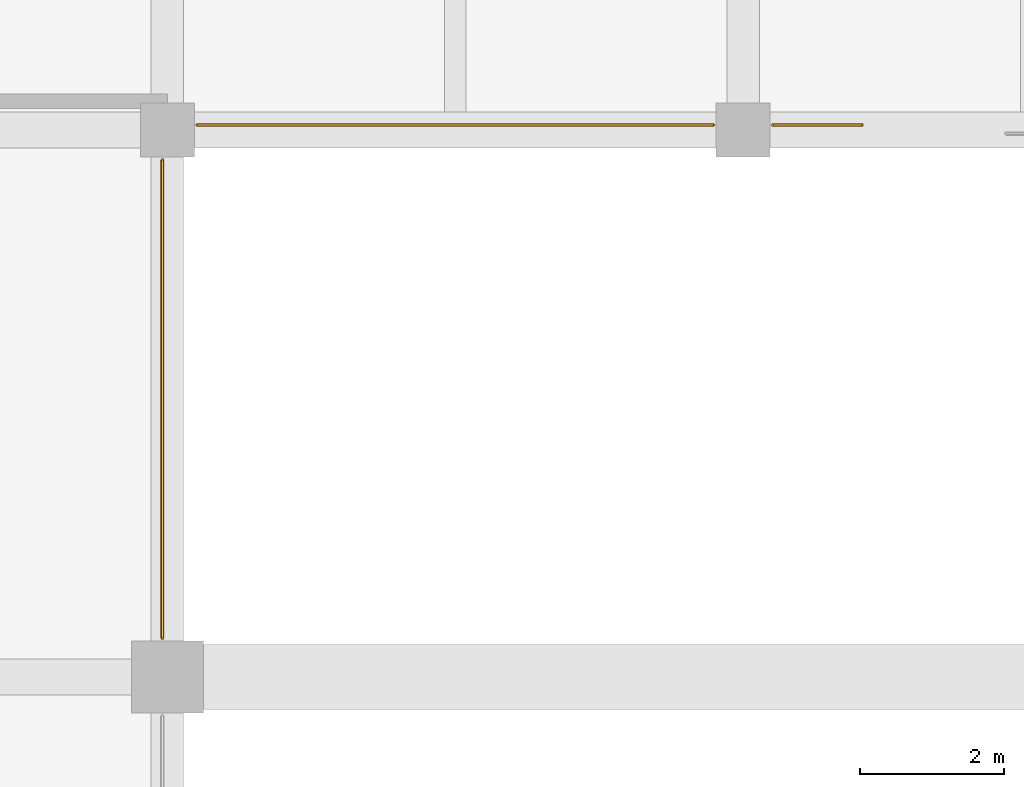
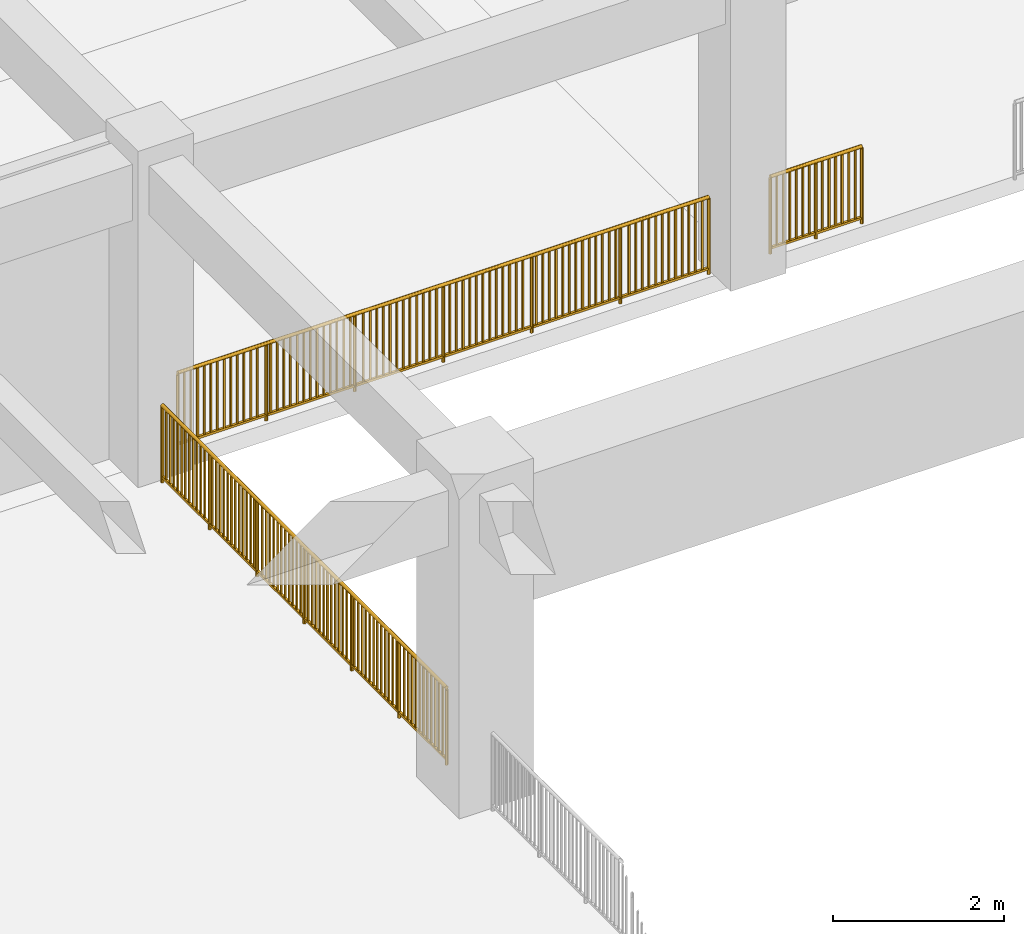
# One storey, part 93 of 101: 3 railings.
"""IFC4 building model written with IfcOpenShell, lengths in metres."""

from ifc_helpers import new_model, si_unit, direction, frame, origin, origin_2d, place, context, subcontext, project, spatial, rectangle, circle, extrude, material, type_object, element, save


model = new_model("IFC4")

# Units and contexts
model_context = context("Model", 3, precision=1e-05, world=origin(), true_north=direction((0.0, 1.0)))
body_context = subcontext(model_context, "Body", "Model", "MODEL_VIEW")
ifc_project = project(units=[si_unit("LENGTHUNIT", "METRE"), si_unit("AREAUNIT", "SQUARE_METRE"), si_unit("VOLUMEUNIT", "CUBIC_METRE"), si_unit("PLANEANGLEUNIT", "RADIAN"), si_unit("MASSUNIT", "GRAM", prefix="KILO")], contexts=[model_context])

# Site, building, storey
site_placement = place(None, origin())
site = spatial("IfcSite", under=ifc_project, at=site_placement, CompositionType="ELEMENT")
building_placement = place(site_placement, origin())
building = spatial("IfcBuilding", under=site, at=building_placement, Name="Zantavel Square City Hall", CompositionType="ELEMENT")
storey_placement = place(building_placement, frame((0.0, 0.0, 5.39990234375)))
storey = spatial("IfcBuildingStorey", under=building, at=storey_placement, Name="L02", CompositionType="ELEMENT", Elevation=5.39990234375)

# Railings
ifc_material = material(Name="Steel ASTM A500 Grade B", Category="steel")
railing_type = type_object("IfcRailingType", Name="Atrium & Gallery Steel Guard Railing 1100mm", PredefinedType="GUARDRAIL", material=ifc_material)
railing_1_placement = place(storey_placement, frame((71.929931640625, 45.18505859375, 0.0)))
element("IfcRailing", 1, at=railing_1_placement, inside=storey, type_object=railing_type, Name="L02 Atrium Void Guard 011", PredefinedType="GUARDRAIL", context=body_context, shape_type="SweptSolid", body=[
    extrude(circle(Radius=0.02392578125, at=origin_2d()), frame((0.0, 0.0, 1.09619140625), z_axis=(0.0, -1.0, 0.0), x_axis=(1.0, 0.0, 0.0)), (0.0, 0.0, 1.0), 6.64501953125),
    extrude(rectangle(XDim=0.031982421875, YDim=0.031982421875, at=origin_2d()), frame((0.0, 0.0, 0.080078125), z_axis=(0.0, -1.0, 0.0), x_axis=(1.0, 0.0, 0.0)), (0.0, 0.0, 1.0), 6.64501953125),
    extrude(rectangle(XDim=0.02197265625, YDim=0.02197265625, at=origin_2d()), frame((0.0, -0.08984375, 0.080078125)), (0.0, 0.0, 1.0), 0.991943359375),
    extrude(rectangle(XDim=0.02197265625, YDim=0.02197265625, at=origin_2d()), frame((0.0, -0.1796875, 0.080078125)), (0.0, 0.0, 1.0), 0.991943359375),
    extrude(rectangle(XDim=0.02197265625, YDim=0.02197265625, at=origin_2d()), frame((0.0, -0.269287109375, 0.080078125)), (0.0, 0.0, 1.0), 0.991943359375),
    extrude(rectangle(XDim=0.02197265625, YDim=0.02197265625, at=origin_2d()), frame((0.0, -0.359130859375, 0.080078125)), (0.0, 0.0, 1.0), 0.991943359375),
    extrude(rectangle(XDim=0.02197265625, YDim=0.02197265625, at=origin_2d()), frame((0.0, -0.448974609375, 0.080078125)), (0.0, 0.0, 1.0), 0.991943359375),
    extrude(rectangle(XDim=0.02197265625, YDim=0.02197265625, at=origin_2d()), frame((0.0, -0.538818359375, 0.080078125)), (0.0, 0.0, 1.0), 0.991943359375),
    extrude(rectangle(XDim=0.02197265625, YDim=0.02197265625, at=origin_2d()), frame((0.0, -0.628662109375, 0.080078125)), (0.0, 0.0, 1.0), 0.991943359375),
    extrude(rectangle(XDim=0.02197265625, YDim=0.02197265625, at=origin_2d()), frame((0.0, -0.71826171875, 0.080078125)), (0.0, 0.0, 1.0), 0.991943359375),
    extrude(rectangle(XDim=0.02197265625, YDim=0.02197265625, at=origin_2d()), frame((0.0, -0.80810546875, 0.080078125)), (0.0, 0.0, 1.0), 0.991943359375),
    extrude(rectangle(XDim=0.02197265625, YDim=0.02197265625, at=origin_2d()), frame((0.0, -0.89794921875, 0.080078125)), (0.0, 0.0, 1.0), 0.991943359375),
    extrude(rectangle(XDim=0.02197265625, YDim=0.02197265625, at=origin_2d()), frame((0.0, -0.98779296875, 0.080078125)), (0.0, 0.0, 1.0), 0.991943359375),
    extrude(rectangle(XDim=0.02197265625, YDim=0.02197265625, at=origin_2d()), frame((0.0, -1.16748046875, 0.080078125)), (0.0, 0.0, 1.0), 0.991943359375),
    extrude(rectangle(XDim=0.02197265625, YDim=0.02197265625, at=origin_2d()), frame((0.0, -1.257080078125, 0.080078125)), (0.0, 0.0, 1.0), 0.991943359375),
    extrude(rectangle(XDim=0.02197265625, YDim=0.02197265625, at=origin_2d()), frame((0.0, -1.346923828125, 0.080078125)), (0.0, 0.0, 1.0), 0.991943359375),
    extrude(rectangle(XDim=0.02197265625, YDim=0.02197265625, at=origin_2d()), frame((0.0, -1.436767578125, 0.080078125)), (0.0, 0.0, 1.0), 0.991943359375),
    extrude(rectangle(XDim=0.02197265625, YDim=0.02197265625, at=origin_2d()), frame((0.0, -1.526611328125, 0.080078125)), (0.0, 0.0, 1.0), 0.991943359375),
    extrude(rectangle(XDim=0.02197265625, YDim=0.02197265625, at=origin_2d()), frame((0.0, -1.616455078125, 0.080078125)), (0.0, 0.0, 1.0), 0.991943359375),
    extrude(rectangle(XDim=0.02197265625, YDim=0.02197265625, at=origin_2d()), frame((0.0, -1.7060546875, 0.080078125)), (0.0, 0.0, 1.0), 0.991943359375),
    extrude(rectangle(XDim=0.02197265625, YDim=0.02197265625, at=origin_2d()), frame((0.0, -1.7958984375, 0.080078125)), (0.0, 0.0, 1.0), 0.991943359375),
    extrude(rectangle(XDim=0.02197265625, YDim=0.02197265625, at=origin_2d()), frame((0.0, -1.8857421875, 0.080078125)), (0.0, 0.0, 1.0), 0.991943359375),
    extrude(rectangle(XDim=0.02197265625, YDim=0.02197265625, at=origin_2d()), frame((0.0, -1.9755859375, 0.080078125)), (0.0, 0.0, 1.0), 0.991943359375),
    extrude(rectangle(XDim=0.02197265625, YDim=0.02197265625, at=origin_2d()), frame((0.0, -2.0654296875, 0.080078125)), (0.0, 0.0, 1.0), 0.991943359375),
    extrude(rectangle(XDim=0.02197265625, YDim=0.02197265625, at=origin_2d()), frame((0.0, -2.155029296875, 0.080078125)), (0.0, 0.0, 1.0), 0.991943359375),
    extrude(rectangle(XDim=0.02197265625, YDim=0.02197265625, at=origin_2d()), frame((0.0, -2.334716796875, 0.080078125)), (0.0, 0.0, 1.0), 0.991943359375),
    extrude(rectangle(XDim=0.02197265625, YDim=0.02197265625, at=origin_2d()), frame((0.0, -2.424560546875, 0.080078125)), (0.0, 0.0, 1.0), 0.991943359375),
    extrude(rectangle(XDim=0.02197265625, YDim=0.02197265625, at=origin_2d()), frame((0.0, -2.514404296875, 0.080078125)), (0.0, 0.0, 1.0), 0.991943359375),
    extrude(rectangle(XDim=0.02197265625, YDim=0.02197265625, at=origin_2d()), frame((0.0, -2.604248046875, 0.080078125)), (0.0, 0.0, 1.0), 0.991943359375),
    extrude(rectangle(XDim=0.02197265625, YDim=0.02197265625, at=origin_2d()), frame((0.0, -2.69384765625, 0.080078125)), (0.0, 0.0, 1.0), 0.991943359375),
    extrude(rectangle(XDim=0.02197265625, YDim=0.02197265625, at=origin_2d()), frame((0.0, -2.78369140625, 0.080078125)), (0.0, 0.0, 1.0), 0.991943359375),
    extrude(rectangle(XDim=0.02197265625, YDim=0.02197265625, at=origin_2d()), frame((0.0, -2.87353515625, 0.080078125)), (0.0, 0.0, 1.0), 0.991943359375),
    extrude(rectangle(XDim=0.02197265625, YDim=0.02197265625, at=origin_2d()), frame((0.0, -2.96337890625, 0.080078125)), (0.0, 0.0, 1.0), 0.991943359375),
    extrude(rectangle(XDim=0.02197265625, YDim=0.02197265625, at=origin_2d()), frame((0.0, -3.05322265625, 0.080078125)), (0.0, 0.0, 1.0), 0.991943359375),
    extrude(rectangle(XDim=0.02197265625, YDim=0.02197265625, at=origin_2d()), frame((0.0, -3.142822265625, 0.080078125)), (0.0, 0.0, 1.0), 0.991943359375),
    extrude(rectangle(XDim=0.02197265625, YDim=0.02197265625, at=origin_2d()), frame((0.0, -3.232666015625, 0.080078125)), (0.0, 0.0, 1.0), 0.991943359375),
    extrude(rectangle(XDim=0.02197265625, YDim=0.02197265625, at=origin_2d()), frame((0.0, -3.412353515625, 0.080078125)), (0.0, 0.0, 1.0), 0.991943359375),
    extrude(rectangle(XDim=0.02197265625, YDim=0.02197265625, at=origin_2d()), frame((0.0, -3.502197265625, 0.080078125)), (0.0, 0.0, 1.0), 0.991943359375),
    extrude(rectangle(XDim=0.02197265625, YDim=0.02197265625, at=origin_2d()), frame((0.0, -3.591796875, 0.080078125)), (0.0, 0.0, 1.0), 0.991943359375),
    extrude(rectangle(XDim=0.02197265625, YDim=0.02197265625, at=origin_2d()), frame((0.0, -3.681640625, 0.080078125)), (0.0, 0.0, 1.0), 0.991943359375),
    extrude(rectangle(XDim=0.02197265625, YDim=0.02197265625, at=origin_2d()), frame((0.0, -3.771484375, 0.080078125)), (0.0, 0.0, 1.0), 0.991943359375),
    extrude(rectangle(XDim=0.02197265625, YDim=0.02197265625, at=origin_2d()), frame((0.0, -3.861328125, 0.080078125)), (0.0, 0.0, 1.0), 0.991943359375),
    extrude(rectangle(XDim=0.02197265625, YDim=0.02197265625, at=origin_2d()), frame((0.0, -3.951171875, 0.080078125)), (0.0, 0.0, 1.0), 0.991943359375),
    extrude(rectangle(XDim=0.02197265625, YDim=0.02197265625, at=origin_2d()), frame((0.0, -4.040771484375, 0.080078125)), (0.0, 0.0, 1.0), 0.991943359375),
    extrude(rectangle(XDim=0.02197265625, YDim=0.02197265625, at=origin_2d()), frame((0.0, -4.130615234375, 0.080078125)), (0.0, 0.0, 1.0), 0.991943359375),
    extrude(rectangle(XDim=0.02197265625, YDim=0.02197265625, at=origin_2d()), frame((0.0, -4.220458984375, 0.080078125)), (0.0, 0.0, 1.0), 0.991943359375),
    extrude(rectangle(XDim=0.02197265625, YDim=0.02197265625, at=origin_2d()), frame((0.0, -4.310302734375, 0.080078125)), (0.0, 0.0, 1.0), 0.991943359375),
    extrude(rectangle(XDim=0.02197265625, YDim=0.02197265625, at=origin_2d()), frame((0.0, -4.489990234375, 0.080078125)), (0.0, 0.0, 1.0), 0.991943359375),
    extrude(rectangle(XDim=0.02197265625, YDim=0.02197265625, at=origin_2d()), frame((0.0, -4.57958984375, 0.080078125)), (0.0, 0.0, 1.0), 0.991943359375),
    extrude(rectangle(XDim=0.02197265625, YDim=0.02197265625, at=origin_2d()), frame((0.0, -4.66943359375, 0.080078125)), (0.0, 0.0, 1.0), 0.991943359375),
    extrude(rectangle(XDim=0.02197265625, YDim=0.02197265625, at=origin_2d()), frame((0.0, -4.75927734375, 0.080078125)), (0.0, 0.0, 1.0), 0.991943359375),
    extrude(rectangle(XDim=0.02197265625, YDim=0.02197265625, at=origin_2d()), frame((0.0, -4.84912109375, 0.080078125)), (0.0, 0.0, 1.0), 0.991943359375),
    extrude(rectangle(XDim=0.02197265625, YDim=0.02197265625, at=origin_2d()), frame((0.0, -4.93896484375, 0.080078125)), (0.0, 0.0, 1.0), 0.991943359375),
    extrude(rectangle(XDim=0.02197265625, YDim=0.02197265625, at=origin_2d()), frame((0.0, -5.028564453125, 0.080078125)), (0.0, 0.0, 1.0), 0.991943359375),
    extrude(rectangle(XDim=0.02197265625, YDim=0.02197265625, at=origin_2d()), frame((0.0, -5.118408203125, 0.080078125)), (0.0, 0.0, 1.0), 0.991943359375),
    extrude(rectangle(XDim=0.02197265625, YDim=0.02197265625, at=origin_2d()), frame((0.0, -5.208251953125, 0.080078125)), (0.0, 0.0, 1.0), 0.991943359375),
    extrude(rectangle(XDim=0.02197265625, YDim=0.02197265625, at=origin_2d()), frame((0.0, -5.298095703125, 0.080078125)), (0.0, 0.0, 1.0), 0.991943359375),
    extrude(rectangle(XDim=0.02197265625, YDim=0.02197265625, at=origin_2d()), frame((0.0, -5.387939453125, 0.080078125)), (0.0, 0.0, 1.0), 0.991943359375),
    extrude(rectangle(XDim=0.02197265625, YDim=0.02197265625, at=origin_2d()), frame((0.0, -5.4775390625, 0.080078125)), (0.0, 0.0, 1.0), 0.991943359375),
    extrude(rectangle(XDim=0.02197265625, YDim=0.02197265625, at=origin_2d()), frame((0.0, -5.6572265625, 0.080078125)), (0.0, 0.0, 1.0), 0.991943359375),
    extrude(rectangle(XDim=0.02197265625, YDim=0.02197265625, at=origin_2d()), frame((0.0, -5.7470703125, 0.080078125)), (0.0, 0.0, 1.0), 0.991943359375),
    extrude(rectangle(XDim=0.02197265625, YDim=0.02197265625, at=origin_2d()), frame((0.0, -5.8369140625, 0.080078125)), (0.0, 0.0, 1.0), 0.991943359375),
    extrude(rectangle(XDim=0.02197265625, YDim=0.02197265625, at=origin_2d()), frame((0.0, -5.9267578125, 0.080078125)), (0.0, 0.0, 1.0), 0.991943359375),
    extrude(rectangle(XDim=0.02197265625, YDim=0.02197265625, at=origin_2d()), frame((0.0, -6.016357421875, 0.080078125)), (0.0, 0.0, 1.0), 0.991943359375),
    extrude(rectangle(XDim=0.02197265625, YDim=0.02197265625, at=origin_2d()), frame((0.0, -6.106201171875, 0.080078125)), (0.0, 0.0, 1.0), 0.991943359375),
    extrude(rectangle(XDim=0.02197265625, YDim=0.02197265625, at=origin_2d()), frame((0.0, -6.196044921875, 0.080078125)), (0.0, 0.0, 1.0), 0.991943359375),
    extrude(rectangle(XDim=0.02197265625, YDim=0.02197265625, at=origin_2d()), frame((0.0, -6.285888671875, 0.080078125)), (0.0, 0.0, 1.0), 0.991943359375),
    extrude(rectangle(XDim=0.02197265625, YDim=0.02197265625, at=origin_2d()), frame((0.0, -6.375732421875, 0.080078125)), (0.0, 0.0, 1.0), 0.991943359375),
    extrude(rectangle(XDim=0.02197265625, YDim=0.02197265625, at=origin_2d()), frame((0.0, -6.46533203125, 0.080078125)), (0.0, 0.0, 1.0), 0.991943359375),
    extrude(rectangle(XDim=0.02197265625, YDim=0.02197265625, at=origin_2d()), frame((0.0, -6.55517578125, 0.080078125)), (0.0, 0.0, 1.0), 0.991943359375),
    extrude(circle(Radius=0.02099609375, at=origin_2d()), origin(), (0.0, 0.0, 1.0), 1.072021484375),
    extrude(circle(Radius=0.02099609375, at=origin_2d()), frame((0.0, -1.107421875, 0.0)), (0.0, 0.0, 1.0), 1.072021484375),
    extrude(circle(Radius=0.02099609375, at=origin_2d()), frame((0.0, -2.215087890625, 0.0)), (0.0, 0.0, 1.0), 1.072021484375),
    extrude(circle(Radius=0.02099609375, at=origin_2d()), frame((0.0, -3.322509765625, 0.0)), (0.0, 0.0, 1.0), 1.072021484375),
    extrude(circle(Radius=0.02099609375, at=origin_2d()), frame((0.0, -4.429931640625, 0.0)), (0.0, 0.0, 1.0), 1.072021484375),
    extrude(circle(Radius=0.02099609375, at=origin_2d()), frame((0.0, -5.53759765625, 0.0)), (0.0, 0.0, 1.0), 1.072021484375),
    extrude(circle(Radius=0.02099609375, at=origin_2d()), frame((0.0, -6.64501953125, 0.0)), (0.0, 0.0, 1.0), 1.072021484375),
])
railing_2_placement = place(storey_placement, frame((79.5849609375, 45.669921875, 0.0)))
element("IfcRailing", 2, at=railing_2_placement, inside=storey, type_object=railing_type, Name="L02 Atrium Void Guard 012", PredefinedType="GUARDRAIL", context=body_context, shape_type="SweptSolid", body=[
    extrude(circle(Radius=0.02392578125, at=origin_2d()), frame((0.0, 0.0, 1.09619140625), z_axis=(-1.0, 0.0, 0.0), x_axis=(0.0, -1.0, 0.0)), (0.0, 0.0, 1.0), 7.169921875),
    extrude(rectangle(XDim=0.031982421875, YDim=0.031982421875, at=origin_2d()), frame((0.0, 0.0, 0.080078125), z_axis=(-1.0, 0.0, 0.0), x_axis=(0.0, -1.0, 0.0)), (0.0, 0.0, 1.0), 7.169921875),
    extrude(rectangle(XDim=0.02197265625, YDim=0.02197265625, at=origin_2d()), frame((-0.089599609375, 0.0, 0.080078125)), (0.0, 0.0, 1.0), 0.991943359375),
    extrude(rectangle(XDim=0.02197265625, YDim=0.02197265625, at=origin_2d()), frame((-0.17919921875, 0.0, 0.080078125)), (0.0, 0.0, 1.0), 0.991943359375),
    extrude(rectangle(XDim=0.02197265625, YDim=0.02197265625, at=origin_2d()), frame((-0.268798828125, 0.0, 0.080078125)), (0.0, 0.0, 1.0), 0.991943359375),
    extrude(rectangle(XDim=0.02197265625, YDim=0.02197265625, at=origin_2d()), frame((-0.3583984375, 0.0, 0.080078125)), (0.0, 0.0, 1.0), 0.991943359375),
    extrude(rectangle(XDim=0.02197265625, YDim=0.02197265625, at=origin_2d()), frame((-0.4482421875, 0.0, 0.080078125)), (0.0, 0.0, 1.0), 0.991943359375),
    extrude(rectangle(XDim=0.02197265625, YDim=0.02197265625, at=origin_2d()), frame((-0.537841796875, 0.0, 0.080078125)), (0.0, 0.0, 1.0), 0.991943359375),
    extrude(rectangle(XDim=0.02197265625, YDim=0.02197265625, at=origin_2d()), frame((-0.62744140625, 0.0, 0.080078125)), (0.0, 0.0, 1.0), 0.991943359375),
    extrude(rectangle(XDim=0.02197265625, YDim=0.02197265625, at=origin_2d()), frame((-0.717041015625, 0.0, 0.080078125)), (0.0, 0.0, 1.0), 0.991943359375),
    extrude(rectangle(XDim=0.02197265625, YDim=0.02197265625, at=origin_2d()), frame((-0.806640625, 0.0, 0.080078125)), (0.0, 0.0, 1.0), 0.991943359375),
    extrude(rectangle(XDim=0.02197265625, YDim=0.02197265625, at=origin_2d()), frame((-0.896240234375, 0.0, 0.080078125)), (0.0, 0.0, 1.0), 0.991943359375),
    extrude(rectangle(XDim=0.02197265625, YDim=0.02197265625, at=origin_2d()), frame((-0.98583984375, 0.0, 0.080078125)), (0.0, 0.0, 1.0), 0.991943359375),
    extrude(rectangle(XDim=0.02197265625, YDim=0.02197265625, at=origin_2d()), frame((-1.075439453125, 0.0, 0.080078125)), (0.0, 0.0, 1.0), 0.991943359375),
    extrude(rectangle(XDim=0.02197265625, YDim=0.02197265625, at=origin_2d()), frame((-1.254638671875, 0.0, 0.080078125)), (0.0, 0.0, 1.0), 0.991943359375),
    extrude(rectangle(XDim=0.02197265625, YDim=0.02197265625, at=origin_2d()), frame((-1.34423828125, 0.0, 0.080078125)), (0.0, 0.0, 1.0), 0.991943359375),
    extrude(rectangle(XDim=0.02197265625, YDim=0.02197265625, at=origin_2d()), frame((-1.43408203125, 0.0, 0.080078125)), (0.0, 0.0, 1.0), 0.991943359375),
    extrude(rectangle(XDim=0.02197265625, YDim=0.02197265625, at=origin_2d()), frame((-1.523681640625, 0.0, 0.080078125)), (0.0, 0.0, 1.0), 0.991943359375),
    extrude(rectangle(XDim=0.02197265625, YDim=0.02197265625, at=origin_2d()), frame((-1.61328125, 0.0, 0.080078125)), (0.0, 0.0, 1.0), 0.991943359375),
    extrude(rectangle(XDim=0.02197265625, YDim=0.02197265625, at=origin_2d()), frame((-1.702880859375, 0.0, 0.080078125)), (0.0, 0.0, 1.0), 0.991943359375),
    extrude(rectangle(XDim=0.02197265625, YDim=0.02197265625, at=origin_2d()), frame((-1.79248046875, 0.0, 0.080078125)), (0.0, 0.0, 1.0), 0.991943359375),
    extrude(rectangle(XDim=0.02197265625, YDim=0.02197265625, at=origin_2d()), frame((-1.882080078125, 0.0, 0.080078125)), (0.0, 0.0, 1.0), 0.991943359375),
    extrude(rectangle(XDim=0.02197265625, YDim=0.02197265625, at=origin_2d()), frame((-1.9716796875, 0.0, 0.080078125)), (0.0, 0.0, 1.0), 0.991943359375),
    extrude(rectangle(XDim=0.02197265625, YDim=0.02197265625, at=origin_2d()), frame((-2.061279296875, 0.0, 0.080078125)), (0.0, 0.0, 1.0), 0.991943359375),
    extrude(rectangle(XDim=0.02197265625, YDim=0.02197265625, at=origin_2d()), frame((-2.15087890625, 0.0, 0.080078125)), (0.0, 0.0, 1.0), 0.991943359375),
    extrude(rectangle(XDim=0.02197265625, YDim=0.02197265625, at=origin_2d()), frame((-2.24072265625, 0.0, 0.080078125)), (0.0, 0.0, 1.0), 0.991943359375),
    extrude(rectangle(XDim=0.02197265625, YDim=0.02197265625, at=origin_2d()), frame((-2.330322265625, 0.0, 0.080078125)), (0.0, 0.0, 1.0), 0.991943359375),
    extrude(rectangle(XDim=0.02197265625, YDim=0.02197265625, at=origin_2d()), frame((-2.509521484375, 0.0, 0.080078125)), (0.0, 0.0, 1.0), 0.991943359375),
    extrude(rectangle(XDim=0.02197265625, YDim=0.02197265625, at=origin_2d()), frame((-2.59912109375, 0.0, 0.080078125)), (0.0, 0.0, 1.0), 0.991943359375),
    extrude(rectangle(XDim=0.02197265625, YDim=0.02197265625, at=origin_2d()), frame((-2.688720703125, 0.0, 0.080078125)), (0.0, 0.0, 1.0), 0.991943359375),
    extrude(rectangle(XDim=0.02197265625, YDim=0.02197265625, at=origin_2d()), frame((-2.7783203125, 0.0, 0.080078125)), (0.0, 0.0, 1.0), 0.991943359375),
    extrude(rectangle(XDim=0.02197265625, YDim=0.02197265625, at=origin_2d()), frame((-2.867919921875, 0.0, 0.080078125)), (0.0, 0.0, 1.0), 0.991943359375),
    extrude(rectangle(XDim=0.02197265625, YDim=0.02197265625, at=origin_2d()), frame((-2.95751953125, 0.0, 0.080078125)), (0.0, 0.0, 1.0), 0.991943359375),
    extrude(rectangle(XDim=0.02197265625, YDim=0.02197265625, at=origin_2d()), frame((-3.047119140625, 0.0, 0.080078125)), (0.0, 0.0, 1.0), 0.991943359375),
    extrude(rectangle(XDim=0.02197265625, YDim=0.02197265625, at=origin_2d()), frame((-3.13671875, 0.0, 0.080078125)), (0.0, 0.0, 1.0), 0.991943359375),
    extrude(rectangle(XDim=0.02197265625, YDim=0.02197265625, at=origin_2d()), frame((-3.2265625, 0.0, 0.080078125)), (0.0, 0.0, 1.0), 0.991943359375),
    extrude(rectangle(XDim=0.02197265625, YDim=0.02197265625, at=origin_2d()), frame((-3.316162109375, 0.0, 0.080078125)), (0.0, 0.0, 1.0), 0.991943359375),
    extrude(rectangle(XDim=0.02197265625, YDim=0.02197265625, at=origin_2d()), frame((-3.40576171875, 0.0, 0.080078125)), (0.0, 0.0, 1.0), 0.991943359375),
    extrude(rectangle(XDim=0.02197265625, YDim=0.02197265625, at=origin_2d()), frame((-3.495361328125, 0.0, 0.080078125)), (0.0, 0.0, 1.0), 0.991943359375),
    extrude(rectangle(XDim=0.02197265625, YDim=0.02197265625, at=origin_2d()), frame((-3.674560546875, 0.0, 0.080078125)), (0.0, 0.0, 1.0), 0.991943359375),
    extrude(rectangle(XDim=0.02197265625, YDim=0.02197265625, at=origin_2d()), frame((-3.76416015625, 0.0, 0.080078125)), (0.0, 0.0, 1.0), 0.991943359375),
    extrude(rectangle(XDim=0.02197265625, YDim=0.02197265625, at=origin_2d()), frame((-3.853759765625, 0.0, 0.080078125)), (0.0, 0.0, 1.0), 0.991943359375),
    extrude(rectangle(XDim=0.02197265625, YDim=0.02197265625, at=origin_2d()), frame((-3.943359375, 0.0, 0.080078125)), (0.0, 0.0, 1.0), 0.991943359375),
    extrude(rectangle(XDim=0.02197265625, YDim=0.02197265625, at=origin_2d()), frame((-4.033203125, 0.0, 0.080078125)), (0.0, 0.0, 1.0), 0.991943359375),
    extrude(rectangle(XDim=0.02197265625, YDim=0.02197265625, at=origin_2d()), frame((-4.122802734375, 0.0, 0.080078125)), (0.0, 0.0, 1.0), 0.991943359375),
    extrude(rectangle(XDim=0.02197265625, YDim=0.02197265625, at=origin_2d()), frame((-4.21240234375, 0.0, 0.080078125)), (0.0, 0.0, 1.0), 0.991943359375),
    extrude(rectangle(XDim=0.02197265625, YDim=0.02197265625, at=origin_2d()), frame((-4.302001953125, 0.0, 0.080078125)), (0.0, 0.0, 1.0), 0.991943359375),
    extrude(rectangle(XDim=0.02197265625, YDim=0.02197265625, at=origin_2d()), frame((-4.3916015625, 0.0, 0.080078125)), (0.0, 0.0, 1.0), 0.991943359375),
    extrude(rectangle(XDim=0.02197265625, YDim=0.02197265625, at=origin_2d()), frame((-4.481201171875, 0.0, 0.080078125)), (0.0, 0.0, 1.0), 0.991943359375),
    extrude(rectangle(XDim=0.02197265625, YDim=0.02197265625, at=origin_2d()), frame((-4.57080078125, 0.0, 0.080078125)), (0.0, 0.0, 1.0), 0.991943359375),
    extrude(rectangle(XDim=0.02197265625, YDim=0.02197265625, at=origin_2d()), frame((-4.660400390625, 0.0, 0.080078125)), (0.0, 0.0, 1.0), 0.991943359375),
    extrude(rectangle(XDim=0.02197265625, YDim=0.02197265625, at=origin_2d()), frame((-4.839599609375, 0.0, 0.080078125)), (0.0, 0.0, 1.0), 0.991943359375),
    extrude(rectangle(XDim=0.02197265625, YDim=0.02197265625, at=origin_2d()), frame((-4.92919921875, 0.0, 0.080078125)), (0.0, 0.0, 1.0), 0.991943359375),
    extrude(rectangle(XDim=0.02197265625, YDim=0.02197265625, at=origin_2d()), frame((-5.01904296875, 0.0, 0.080078125)), (0.0, 0.0, 1.0), 0.991943359375),
    extrude(rectangle(XDim=0.02197265625, YDim=0.02197265625, at=origin_2d()), frame((-5.108642578125, 0.0, 0.080078125)), (0.0, 0.0, 1.0), 0.991943359375),
    extrude(rectangle(XDim=0.02197265625, YDim=0.02197265625, at=origin_2d()), frame((-5.1982421875, 0.0, 0.080078125)), (0.0, 0.0, 1.0), 0.991943359375),
    extrude(rectangle(XDim=0.02197265625, YDim=0.02197265625, at=origin_2d()), frame((-5.287841796875, 0.0, 0.080078125)), (0.0, 0.0, 1.0), 0.991943359375),
    extrude(rectangle(XDim=0.02197265625, YDim=0.02197265625, at=origin_2d()), frame((-5.37744140625, 0.0, 0.080078125)), (0.0, 0.0, 1.0), 0.991943359375),
    extrude(rectangle(XDim=0.02197265625, YDim=0.02197265625, at=origin_2d()), frame((-5.467041015625, 0.0, 0.080078125)), (0.0, 0.0, 1.0), 0.991943359375),
    extrude(rectangle(XDim=0.02197265625, YDim=0.02197265625, at=origin_2d()), frame((-5.556640625, 0.0, 0.080078125)), (0.0, 0.0, 1.0), 0.991943359375),
    extrude(rectangle(XDim=0.02197265625, YDim=0.02197265625, at=origin_2d()), frame((-5.646240234375, 0.0, 0.080078125)), (0.0, 0.0, 1.0), 0.991943359375),
    extrude(rectangle(XDim=0.02197265625, YDim=0.02197265625, at=origin_2d()), frame((-5.73583984375, 0.0, 0.080078125)), (0.0, 0.0, 1.0), 0.991943359375),
    extrude(rectangle(XDim=0.02197265625, YDim=0.02197265625, at=origin_2d()), frame((-5.82568359375, 0.0, 0.080078125)), (0.0, 0.0, 1.0), 0.991943359375),
    extrude(rectangle(XDim=0.02197265625, YDim=0.02197265625, at=origin_2d()), frame((-5.915283203125, 0.0, 0.080078125)), (0.0, 0.0, 1.0), 0.991943359375),
    extrude(rectangle(XDim=0.02197265625, YDim=0.02197265625, at=origin_2d()), frame((-6.094482421875, 0.0, 0.080078125)), (0.0, 0.0, 1.0), 0.991943359375),
    extrude(rectangle(XDim=0.02197265625, YDim=0.02197265625, at=origin_2d()), frame((-6.18408203125, 0.0, 0.080078125)), (0.0, 0.0, 1.0), 0.991943359375),
    extrude(rectangle(XDim=0.02197265625, YDim=0.02197265625, at=origin_2d()), frame((-6.273681640625, 0.0, 0.080078125)), (0.0, 0.0, 1.0), 0.991943359375),
    extrude(rectangle(XDim=0.02197265625, YDim=0.02197265625, at=origin_2d()), frame((-6.36328125, 0.0, 0.080078125)), (0.0, 0.0, 1.0), 0.991943359375),
    extrude(rectangle(XDim=0.02197265625, YDim=0.02197265625, at=origin_2d()), frame((-6.452880859375, 0.0, 0.080078125)), (0.0, 0.0, 1.0), 0.991943359375),
    extrude(rectangle(XDim=0.02197265625, YDim=0.02197265625, at=origin_2d()), frame((-6.54248046875, 0.0, 0.080078125)), (0.0, 0.0, 1.0), 0.991943359375),
    extrude(rectangle(XDim=0.02197265625, YDim=0.02197265625, at=origin_2d()), frame((-6.632080078125, 0.0, 0.080078125)), (0.0, 0.0, 1.0), 0.991943359375),
    extrude(rectangle(XDim=0.02197265625, YDim=0.02197265625, at=origin_2d()), frame((-6.7216796875, 0.0, 0.080078125)), (0.0, 0.0, 1.0), 0.991943359375),
    extrude(rectangle(XDim=0.02197265625, YDim=0.02197265625, at=origin_2d()), frame((-6.8115234375, 0.0, 0.080078125)), (0.0, 0.0, 1.0), 0.991943359375),
    extrude(rectangle(XDim=0.02197265625, YDim=0.02197265625, at=origin_2d()), frame((-6.901123046875, 0.0, 0.080078125)), (0.0, 0.0, 1.0), 0.991943359375),
    extrude(rectangle(XDim=0.02197265625, YDim=0.02197265625, at=origin_2d()), frame((-6.99072265625, 0.0, 0.080078125)), (0.0, 0.0, 1.0), 0.991943359375),
    extrude(rectangle(XDim=0.02197265625, YDim=0.02197265625, at=origin_2d()), frame((-7.080322265625, 0.0, 0.080078125)), (0.0, 0.0, 1.0), 0.991943359375),
    extrude(circle(Radius=0.02099609375, at=origin_2d()), origin(), (0.0, 0.0, 1.0), 1.072021484375),
    extrude(circle(Radius=0.02099609375, at=origin_2d()), frame((-1.195068359375, 0.0, 0.0)), (0.0, 0.0, 1.0), 1.072021484375),
    extrude(circle(Radius=0.02099609375, at=origin_2d()), frame((-2.389892578125, 0.0, 0.0)), (0.0, 0.0, 1.0), 1.072021484375),
    extrude(circle(Radius=0.02099609375, at=origin_2d()), frame((-3.5849609375, 0.0, 0.0)), (0.0, 0.0, 1.0), 1.072021484375),
    extrude(circle(Radius=0.02099609375, at=origin_2d()), frame((-4.780029296875, 0.0, 0.0)), (0.0, 0.0, 1.0), 1.072021484375),
    extrude(circle(Radius=0.02099609375, at=origin_2d()), frame((-5.974853515625, 0.0, 0.0)), (0.0, 0.0, 1.0), 1.072021484375),
    extrude(circle(Radius=0.02099609375, at=origin_2d()), frame((-7.169921875, 0.0, 0.0)), (0.0, 0.0, 1.0), 1.072021484375),
])
railing_3_placement = place(storey_placement, frame((81.64990234375, 45.669921875, 0.0)))
element("IfcRailing", 3, at=railing_3_placement, inside=storey, type_object=railing_type, Name="L02 Atrium Void Guard 013", PredefinedType="GUARDRAIL", context=body_context, shape_type="SweptSolid", body=[
    extrude(circle(Radius=0.02392578125, at=origin_2d()), frame((0.0, 0.0, 1.09619140625), z_axis=(-1.0, 0.0, 0.0), x_axis=(0.0, -1.0, 0.0)), (0.0, 0.0, 1.0), 1.23486328125),
    extrude(rectangle(XDim=0.031982421875, YDim=0.031982421875, at=origin_2d()), frame((0.0, 0.0, 0.080078125), z_axis=(-1.0, 0.0, 0.0), x_axis=(0.0, -1.0, 0.0)), (0.0, 0.0, 1.0), 1.23486328125),
    extrude(rectangle(XDim=0.02197265625, YDim=0.02197265625, at=origin_2d()), frame((-0.088134765625, 0.0, 0.080078125)), (0.0, 0.0, 1.0), 0.991943359375),
    extrude(rectangle(XDim=0.02197265625, YDim=0.02197265625, at=origin_2d()), frame((-0.176513671875, 0.0, 0.080078125)), (0.0, 0.0, 1.0), 0.991943359375),
    extrude(rectangle(XDim=0.02197265625, YDim=0.02197265625, at=origin_2d()), frame((-0.2646484375, 0.0, 0.080078125)), (0.0, 0.0, 1.0), 0.991943359375),
    extrude(rectangle(XDim=0.02197265625, YDim=0.02197265625, at=origin_2d()), frame((-0.352783203125, 0.0, 0.080078125)), (0.0, 0.0, 1.0), 0.991943359375),
    extrude(rectangle(XDim=0.02197265625, YDim=0.02197265625, at=origin_2d()), frame((-0.44091796875, 0.0, 0.080078125)), (0.0, 0.0, 1.0), 0.991943359375),
    extrude(rectangle(XDim=0.02197265625, YDim=0.02197265625, at=origin_2d()), frame((-0.529296875, 0.0, 0.080078125)), (0.0, 0.0, 1.0), 0.991943359375),
    extrude(rectangle(XDim=0.02197265625, YDim=0.02197265625, at=origin_2d()), frame((-0.70556640625, 0.0, 0.080078125)), (0.0, 0.0, 1.0), 0.991943359375),
    extrude(rectangle(XDim=0.02197265625, YDim=0.02197265625, at=origin_2d()), frame((-0.7939453125, 0.0, 0.080078125)), (0.0, 0.0, 1.0), 0.991943359375),
    extrude(rectangle(XDim=0.02197265625, YDim=0.02197265625, at=origin_2d()), frame((-0.882080078125, 0.0, 0.080078125)), (0.0, 0.0, 1.0), 0.991943359375),
    extrude(rectangle(XDim=0.02197265625, YDim=0.02197265625, at=origin_2d()), frame((-0.97021484375, 0.0, 0.080078125)), (0.0, 0.0, 1.0), 0.991943359375),
    extrude(rectangle(XDim=0.02197265625, YDim=0.02197265625, at=origin_2d()), frame((-1.058349609375, 0.0, 0.080078125)), (0.0, 0.0, 1.0), 0.991943359375),
    extrude(rectangle(XDim=0.02197265625, YDim=0.02197265625, at=origin_2d()), frame((-1.146728515625, 0.0, 0.080078125)), (0.0, 0.0, 1.0), 0.991943359375),
    extrude(circle(Radius=0.02099609375, at=origin_2d()), origin(), (0.0, 0.0, 1.0), 1.072021484375),
    extrude(circle(Radius=0.02099609375, at=origin_2d()), frame((-0.617431640625, 0.0, 0.0)), (0.0, 0.0, 1.0), 1.072021484375),
    extrude(circle(Radius=0.02099609375, at=origin_2d()), frame((-1.23486328125, 0.0, 0.0)), (0.0, 0.0, 1.0), 1.072021484375),
])

save(model, "model.ifc")
